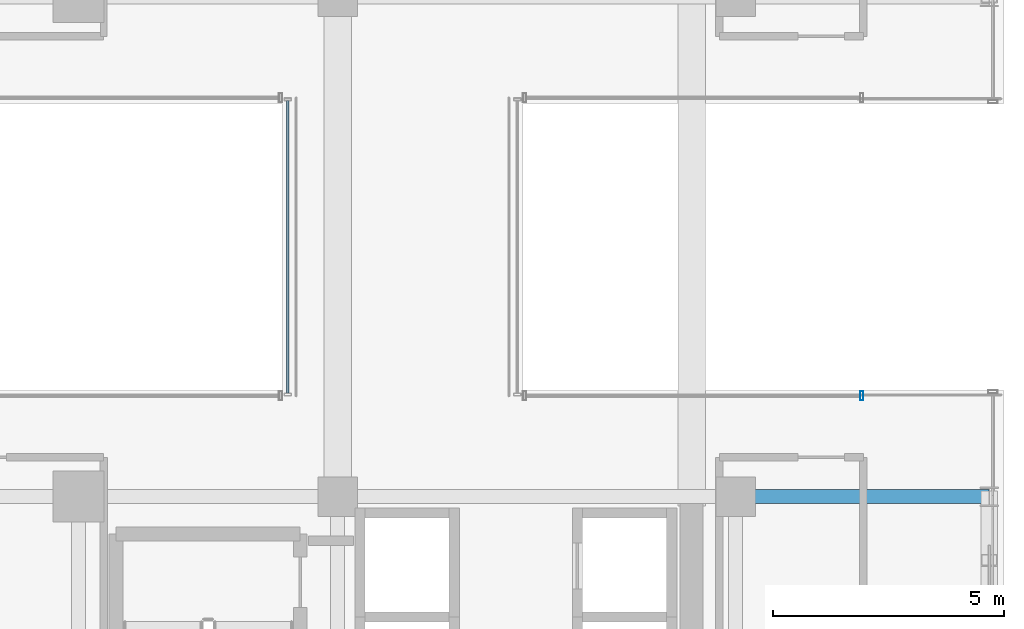
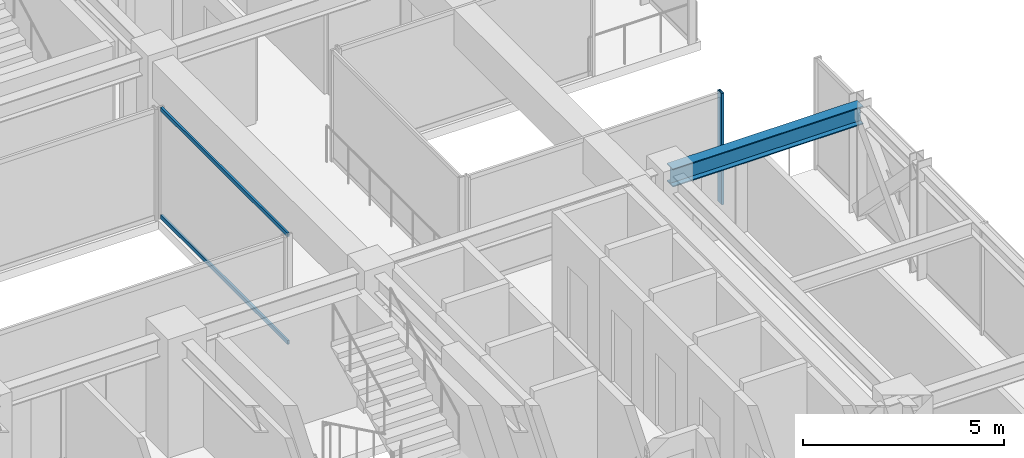
# One storey, part 16 of 36: 3 members, 1 beam, 2 elements without a shape of their own.
"""IFC4 building model written with IfcOpenShell, lengths in metres."""

from ifc_helpers import new_model, si_unit, direction, frame, origin, origin_2d, place, context, subcontext, project, spatial, hollow_rectangle, i_section, extrude, source, transform, mapped, material, material_profile, profile_set, type_object, element, aggregate, save


model = new_model("IFC4")

# Units and contexts
model_context = context("Model", 3, precision=1e-05, world=origin(), true_north=direction((0.0, 1.0)))
body_context = subcontext(model_context, "Body", "Model", "MODEL_VIEW")
ifc_project = project(units=[si_unit("LENGTHUNIT", "METRE"), si_unit("AREAUNIT", "SQUARE_METRE"), si_unit("VOLUMEUNIT", "CUBIC_METRE"), si_unit("PLANEANGLEUNIT", "RADIAN"), si_unit("MASSUNIT", "GRAM", prefix="KILO")], contexts=[model_context])

# Site, building, storey
site_placement = place(None, origin())
site = spatial("IfcSite", under=ifc_project, at=site_placement, CompositionType="ELEMENT")
building_placement = place(site_placement, origin())
building = spatial("IfcBuilding", under=site, at=building_placement, Name="Nahalor Promenade Grand Hotel", CompositionType="ELEMENT")
storey_placement = place(building_placement, frame((0.0, 0.0, 170.89990234375)))
storey = spatial("IfcBuildingStorey", under=building, at=storey_placement, Name="L43", CompositionType="ELEMENT", Elevation=170.89990234375)

# Beam
ifc_material_1 = material(Name="Steel S355JR", Category="steel")
ifc_material_profile_1 = material_profile(ifc_material_1, i_section(OverallWidth=0.3, OverallDepth=0.55, WebThickness=0.015, FlangeThickness=0.029, at=origin_2d()), Name="HEB 550")
ifc_profile_set_1 = profile_set([ifc_material_profile_1], Name="Steel S355JR")
beam_type = type_object("IfcBeamType", Name="Beam-Girder-HEB550", PredefinedType="BEAM", material=ifc_profile_set_1)
shared_shape_1 = source(origin(), body_context, "Body", "SweptSolid", [
    extrude(i_section(OverallWidth=0.3, OverallDepth=0.55, WebThickness=0.015, FlangeThickness=0.029, at=origin_2d()), origin(), (0.0, 0.0, 1.0), 5.47998046875),
])
beam_placement = place(storey_placement, frame((17.0, -5.39990234375, 3.114990234375), z_axis=(1.0, 0.0, 0.0), x_axis=(0.0, 1.0, 0.0)))
element("IfcBeam", 1, at=beam_placement, inside=storey, type_object=beam_type, Name="BM-L43-GX-1-6", PredefinedType="BEAM", context=body_context, shape_type="MappedRepresentation", body=[
    mapped(shared_shape_1, transform((0.0, 0.0, 0.0), scale=1.0)),
])

# Curtain wall, members
ifc_material_2 = material(Name="Anodised Bronze Aluminium EN AW-6063 T6", Category="aluminium")
curtain_wall_type_1 = type_object("IfcCurtainWallType", Name="CW4 Low-Iron Sky-Gallery Bridge Curtain Wall", PredefinedType="USERDEFINED", material=ifc_material_2)
curtain_wall_1_placement = place(storey_placement, origin())
curtain_wall_1 = element("IfcCurtainWall", 2, at=curtain_wall_1_placement, inside=storey, type_object=curtain_wall_type_1, Name="L43 Curtain Wall CW-L43-BRG-W", ObjectType="UNITISED_CURTAIN_WALL", PredefinedType="USERDEFINED")
ifc_material_profile_2 = material_profile(ifc_material_2, hollow_rectangle(XDim=0.06, YDim=0.12, WallThickness=0.004, at=origin_2d()), Name="CWT 60x120x4")
ifc_profile_set_2 = profile_set([ifc_material_profile_2], Name="Anodised Bronze Aluminium EN AW-6063 T6")
member_type_1 = type_object("IfcMemberType", Name="CWT4 Sky-Gallery Slim Transom 60x120", PredefinedType="USERDEFINED", material=ifc_profile_set_2)
shared_shape_2 = source(origin(), body_context, "Body", "SweptSolid", [
    extrude(hollow_rectangle(XDim=0.06, YDim=0.12, WallThickness=0.004, at=origin_2d()), origin(), (0.0, 0.0, 1.0), 6.31982421875),
])
member_1_placement = place(storey_placement, frame((7.320068359375, -3.159912109375, 0.06005859375), z_axis=(0.0, 1.0, 0.0), x_axis=(-1.0, 0.0, 0.0)))
member_1 = element("IfcMember", 3, at=member_1_placement, type_object=member_type_1, Name="CW-L43-BRG-W Transom 0-0", ObjectType="TRANSOM", PredefinedType="USERDEFINED", context=body_context, shape_type="MappedRepresentation", body=[
    mapped(shared_shape_2, transform((0.0, 0.0, 0.0), scale=1.0)),
])
member_2_placement = place(storey_placement, frame((7.320068359375, -3.159912109375, 3.330078125), z_axis=(0.0, 1.0, 0.0), x_axis=(-1.0, 0.0, 0.0)))
member_2 = element("IfcMember", 4, at=member_2_placement, type_object=member_type_1, Name="CW-L43-BRG-W Transom 0-1", ObjectType="TRANSOM", PredefinedType="USERDEFINED", context=body_context, shape_type="MappedRepresentation", body=[
    mapped(shared_shape_2, transform((0.0, 0.0, 0.0), scale=1.0)),
])
aggregate(curtain_wall_1, [member_1, member_2])

# Curtain wall, member
curtain_wall_type_2 = type_object("IfcCurtainWallType", Name="CW3 Elliptical-Void Collar Unitised Curtain Wall", PredefinedType="USERDEFINED", material=ifc_material_2)
curtain_wall_2_placement = place(storey_placement, origin())
curtain_wall_2 = element("IfcCurtainWall", 5, at=curtain_wall_2_placement, inside=storey, type_object=curtain_wall_type_2, Name="L43 Curtain Wall CW-L43-VOID-ES1", ObjectType="UNITISED_CURTAIN_WALL", PredefinedType="USERDEFINED")
ifc_material_profile_3 = material_profile(ifc_material_2, hollow_rectangle(XDim=0.07, YDim=0.2, WallThickness=0.005, at=origin_2d()), Name="CWM 70x200x5")
ifc_profile_set_3 = profile_set([ifc_material_profile_3], Name="Anodised Bronze Aluminium EN AW-6063 T6")
member_type_2 = type_object("IfcMemberType", Name="CWM3 Void Collar Mullion 70x200", PredefinedType="MULLION", material=ifc_profile_set_3)
shared_shape_3 = source(origin(), body_context, "Body", "SweptSolid", [
    extrude(hollow_rectangle(XDim=0.07, YDim=0.2, WallThickness=0.005, at=origin_2d()), origin(), (0.0, 0.0, 1.0), 3.39013671875),
])
member_3_placement = place(storey_placement, frame((19.72509765625, -3.219970703125, 0.0), z_axis=(0.0, 0.0, 1.0), x_axis=(1.0, 0.0, 0.0)))
member_3 = element("IfcMember", 6, at=member_3_placement, type_object=member_type_2, Name="CW-L43-VOID-ES1 Mullion 1", PredefinedType="MULLION", context=body_context, shape_type="MappedRepresentation", body=[
    mapped(shared_shape_3, transform((0.0, 0.0, 0.0), scale=1.0)),
])
aggregate(curtain_wall_2, [member_3])

save(model, "model.ifc")
